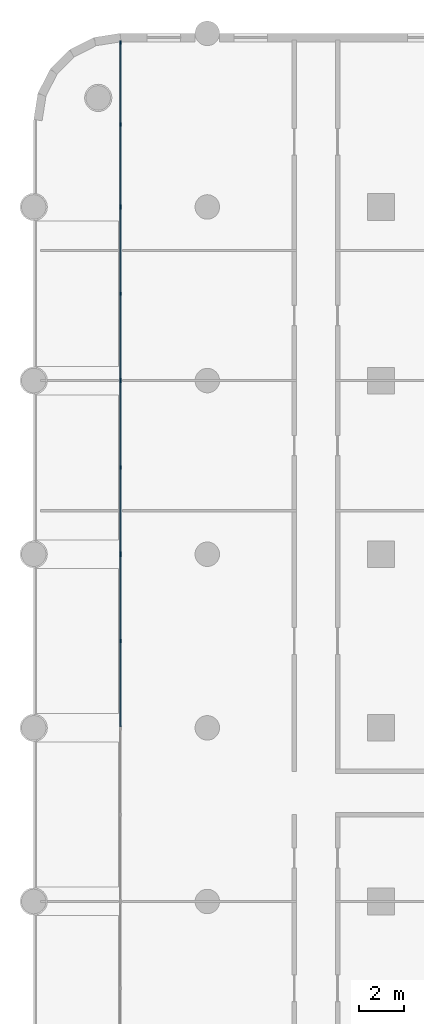
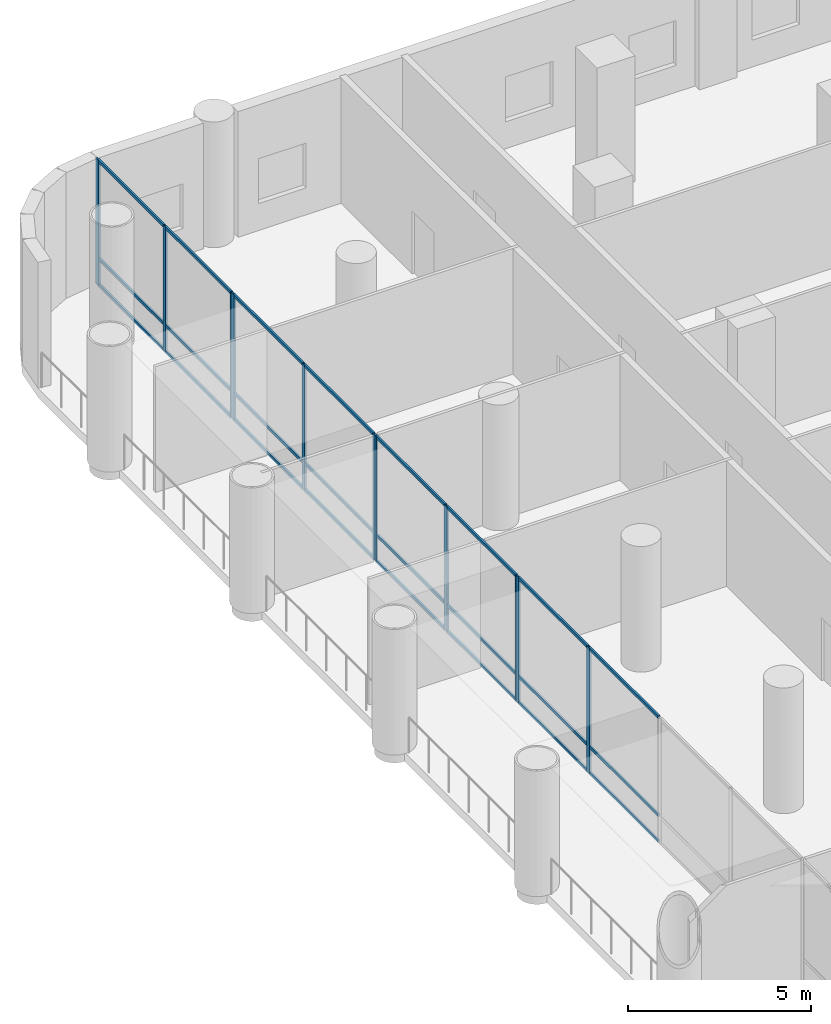
# One storey, part 5 of 24: 35 members, 4 elements without a shape of their own.
"""IFC4 building model written with IfcOpenShell, lengths in metres."""

from ifc_helpers import new_model, si_unit, direction, frame, origin, origin_2d, place, context, subcontext, project, spatial, rectangle, extrude, material, material_profile, profile_set, type_object, element, aggregate, save


model = new_model("IFC4")

# Units and contexts
model_context = context("Model", 3, precision=1e-05, world=origin(), true_north=direction((0.0, 1.0)))
body_context = subcontext(model_context, "Body", "Model", "MODEL_VIEW")
ifc_project = project(units=[si_unit("LENGTHUNIT", "METRE"), si_unit("AREAUNIT", "SQUARE_METRE"), si_unit("VOLUMEUNIT", "CUBIC_METRE"), si_unit("PLANEANGLEUNIT", "RADIAN"), si_unit("MASSUNIT", "GRAM", prefix="KILO")], contexts=[model_context])

# Site, building, storey
site_placement = place(None, origin())
site = spatial("IfcSite", under=ifc_project, at=site_placement, CompositionType="ELEMENT")
building_placement = place(site_placement, origin())
building = spatial("IfcBuilding", under=site, at=building_placement, Name="Ludao Terraces", CompositionType="ELEMENT")
storey_placement = place(building_placement, frame((0.0, 0.0, 6.0)))
storey = spatial("IfcBuildingStorey", under=building, at=storey_placement, Name="L01", CompositionType="ELEMENT", Elevation=6.0)

# Curtain wall, members
ifc_material_1 = material(Name="Aluminium curtain wall with fritted glass", Category="aluminium")
curtain_wall_type = type_object("IfcCurtainWallType", Name="ENV CW1 podium glazing", PredefinedType="NOTDEFINED", material=ifc_material_1)
curtain_wall_1_placement = place(storey_placement, origin())
curtain_wall_1 = element("IfcCurtainWall", 1, at=curtain_wall_1_placement, inside=storey, type_object=curtain_wall_type, Name="CW-L01-W5", PredefinedType="NOTDEFINED")
ifc_material_2 = material(Name="Aluminium 6063-T6", Category="aluminium")
ifc_material_profile_1 = material_profile(ifc_material_2, rectangle(XDim=0.06005859375, YDim=0.14990234375, at=origin_2d()), Name="60 X 150")
ifc_profile_set_1 = profile_set([ifc_material_profile_1], Name="Aluminium 6063-T6")
member_type_1 = type_object("IfcMemberType", Name="ENV CW1 mullion 60x150", PredefinedType="MULLION", material=ifc_profile_set_1)
member_1_placement = place(storey_placement, frame((49.89990234375, 61.10009765625, 0.0), z_axis=(0.0, 0.0, 1.0), x_axis=(-1.0, 0.0, 0.0)))
member_1 = element("IfcMember", 2, at=member_1_placement, type_object=member_type_1, Name="CW1 mullion 2", PredefinedType="MULLION", context=body_context, shape_type="SweptSolid", body=[
    extrude(rectangle(XDim=0.06005859375, YDim=0.14990234375, at=origin_2d()), origin(), (0.0, 0.0, 1.0), 4.199951171875),
])
member_2_placement = place(storey_placement, frame((49.89990234375, 64.969970703125, 0.0), z_axis=(0.0, 0.0, 1.0), x_axis=(-1.0, 0.0, 0.0)))
member_2 = element("IfcMember", 3, at=member_2_placement, type_object=member_type_1, Name="CW1 mullion 3", PredefinedType="MULLION", context=body_context, shape_type="SweptSolid", body=[
    extrude(rectangle(XDim=0.06005859375, YDim=0.14990234375, at=origin_2d()), origin(), (0.0, 0.0, 1.0), 4.199951171875),
])

curtain_wall_2_placement = place(storey_placement, origin())
curtain_wall_2 = element("IfcCurtainWall", 4, at=curtain_wall_2_placement, inside=storey, type_object=curtain_wall_type, Name="CW-L01-W6", PredefinedType="NOTDEFINED")
member_3_placement = place(storey_placement, frame((49.89990234375, 65.030029296875, 0.0), z_axis=(0.0, 0.0, 1.0), x_axis=(-1.0, 0.0, 0.0)))
member_3 = element("IfcMember", 5, at=member_3_placement, type_object=member_type_1, Name="CW1 mullion 1", PredefinedType="MULLION", context=body_context, shape_type="SweptSolid", body=[
    extrude(rectangle(XDim=0.06005859375, YDim=0.14990234375, at=origin_2d()), origin(), (0.0, 0.0, 1.0), 4.199951171875),
])
member_4_placement = place(storey_placement, frame((49.89990234375, 68.89990234375, 0.0), z_axis=(0.0, 0.0, 1.0), x_axis=(-1.0, 0.0, 0.0)))
member_4 = element("IfcMember", 6, at=member_4_placement, type_object=member_type_1, Name="CW1 mullion 2", PredefinedType="MULLION", context=body_context, shape_type="SweptSolid", body=[
    extrude(rectangle(XDim=0.06005859375, YDim=0.14990234375, at=origin_2d()), origin(), (0.0, 0.0, 1.0), 4.199951171875),
])
member_5_placement = place(storey_placement, frame((49.89990234375, 72.77001953125, 0.0), z_axis=(0.0, 0.0, 1.0), x_axis=(-1.0, 0.0, 0.0)))
member_5 = element("IfcMember", 7, at=member_5_placement, type_object=member_type_1, Name="CW1 mullion 3", PredefinedType="MULLION", context=body_context, shape_type="SweptSolid", body=[
    extrude(rectangle(XDim=0.06005859375, YDim=0.14990234375, at=origin_2d()), origin(), (0.0, 0.0, 1.0), 4.199951171875),
])

curtain_wall_3_placement = place(storey_placement, origin())
curtain_wall_3 = element("IfcCurtainWall", 8, at=curtain_wall_3_placement, inside=storey, type_object=curtain_wall_type, Name="CW-L01-W7", PredefinedType="NOTDEFINED")
member_6_placement = place(storey_placement, frame((49.89990234375, 72.830078125, 0.0), z_axis=(0.0, 0.0, 1.0), x_axis=(-1.0, 0.0, 0.0)))
member_6 = element("IfcMember", 9, at=member_6_placement, type_object=member_type_1, Name="CW1 mullion 1", PredefinedType="MULLION", context=body_context, shape_type="SweptSolid", body=[
    extrude(rectangle(XDim=0.06005859375, YDim=0.14990234375, at=origin_2d()), origin(), (0.0, 0.0, 1.0), 4.199951171875),
])
member_7_placement = place(storey_placement, frame((49.89990234375, 76.699951171875, 0.0), z_axis=(0.0, 0.0, 1.0), x_axis=(-1.0, 0.0, 0.0)))
member_7 = element("IfcMember", 10, at=member_7_placement, type_object=member_type_1, Name="CW1 mullion 2", PredefinedType="MULLION", context=body_context, shape_type="SweptSolid", body=[
    extrude(rectangle(XDim=0.06005859375, YDim=0.14990234375, at=origin_2d()), origin(), (0.0, 0.0, 1.0), 4.199951171875),
])
member_8_placement = place(storey_placement, frame((49.89990234375, 80.570068359375, 0.0), z_axis=(0.0, 0.0, 1.0), x_axis=(-1.0, 0.0, 0.0)))
member_8 = element("IfcMember", 11, at=member_8_placement, type_object=member_type_1, Name="CW1 mullion 3", PredefinedType="MULLION", context=body_context, shape_type="SweptSolid", body=[
    extrude(rectangle(XDim=0.06005859375, YDim=0.14990234375, at=origin_2d()), origin(), (0.0, 0.0, 1.0), 4.199951171875),
])

curtain_wall_4_placement = place(storey_placement, origin())
curtain_wall_4 = element("IfcCurtainWall", 12, at=curtain_wall_4_placement, inside=storey, type_object=curtain_wall_type, Name="CW-L01-W8", PredefinedType="NOTDEFINED")
member_9_placement = place(storey_placement, frame((49.89990234375, 80.6298828125, 0.0), z_axis=(0.0, 0.0, 1.0), x_axis=(-1.0, 0.0, 0.0)))
member_9 = element("IfcMember", 13, at=member_9_placement, type_object=member_type_1, Name="CW1 mullion 1", PredefinedType="MULLION", context=body_context, shape_type="SweptSolid", body=[
    extrude(rectangle(XDim=0.06005859375, YDim=0.14990234375, at=origin_2d()), origin(), (0.0, 0.0, 1.0), 4.199951171875),
])
member_10_placement = place(storey_placement, frame((49.89990234375, 84.31005859375, 0.0), z_axis=(0.0, 0.0, 1.0), x_axis=(-1.0, 0.0, 0.0)))
member_10 = element("IfcMember", 14, at=member_10_placement, type_object=member_type_1, Name="CW1 mullion 2", PredefinedType="MULLION", context=body_context, shape_type="SweptSolid", body=[
    extrude(rectangle(XDim=0.06005859375, YDim=0.14990234375, at=origin_2d()), origin(), (0.0, 0.0, 1.0), 4.199951171875),
])
member_11_placement = place(storey_placement, frame((49.89990234375, 87.989990234375, 0.0), z_axis=(0.0, 0.0, 1.0), x_axis=(-1.0, 0.0, 0.0)))
member_11 = element("IfcMember", 15, at=member_11_placement, type_object=member_type_1, Name="CW1 mullion 3", PredefinedType="MULLION", context=body_context, shape_type="SweptSolid", body=[
    extrude(rectangle(XDim=0.06005859375, YDim=0.14990234375, at=origin_2d()), origin(), (0.0, 0.0, 1.0), 4.199951171875),
])

# Member
ifc_material_profile_2 = material_profile(ifc_material_2, rectangle(XDim=0.06005859375, YDim=0.10009765625, at=origin_2d()), Name="60 X 100")
ifc_profile_set_2 = profile_set([ifc_material_profile_2], Name="Aluminium 6063-T6")
member_type_2 = type_object("IfcMemberType", Name="ENV CW1 transom 60x100", PredefinedType="USERDEFINED", material=ifc_profile_set_2)
member_12_placement = place(storey_placement, frame((49.89990234375, 57.260009765625, 0.030029296875), z_axis=(0.0, 1.0, 0.0), x_axis=(-1.0, 0.0, 0.0)))
member_12 = element("IfcMember", 16, at=member_12_placement, type_object=member_type_2, Name="CW1 transom 1.1", ObjectType="TRANSOM", PredefinedType="USERDEFINED", context=body_context, shape_type="SweptSolid", body=[
    extrude(rectangle(XDim=0.06005859375, YDim=0.10009765625, at=origin_2d()), origin(), (0.0, 0.0, 1.0), 3.81005859375),
])

member_13_placement = place(storey_placement, frame((49.89990234375, 57.260009765625, 0.89990234375), z_axis=(0.0, 1.0, 0.0), x_axis=(-1.0, 0.0, 0.0)))
member_13 = element("IfcMember", 17, at=member_13_placement, type_object=member_type_2, Name="CW1 transom 1.2", ObjectType="TRANSOM", PredefinedType="USERDEFINED", context=body_context, shape_type="SweptSolid", body=[
    extrude(rectangle(XDim=0.06005859375, YDim=0.10009765625, at=origin_2d()), origin(), (0.0, 0.0, 1.0), 3.81005859375),
])

member_14_placement = place(storey_placement, frame((49.89990234375, 57.260009765625, 4.169921875), z_axis=(0.0, 1.0, 0.0), x_axis=(-1.0, 0.0, 0.0)))
member_14 = element("IfcMember", 18, at=member_14_placement, type_object=member_type_2, Name="CW1 transom 1.3", ObjectType="TRANSOM", PredefinedType="USERDEFINED", context=body_context, shape_type="SweptSolid", body=[
    extrude(rectangle(XDim=0.06005859375, YDim=0.10009765625, at=origin_2d()), origin(), (0.0, 0.0, 1.0), 3.81005859375),
])

member_15_placement = place(storey_placement, frame((49.89990234375, 61.1298828125, 0.030029296875), z_axis=(0.0, 1.0, 0.0), x_axis=(-1.0, 0.0, 0.0)))
member_15 = element("IfcMember", 19, at=member_15_placement, type_object=member_type_2, Name="CW1 transom 2.1", ObjectType="TRANSOM", PredefinedType="USERDEFINED", context=body_context, shape_type="SweptSolid", body=[
    extrude(rectangle(XDim=0.06005859375, YDim=0.10009765625, at=origin_2d()), origin(), (0.0, 0.0, 1.0), 3.81005859375),
])

member_16_placement = place(storey_placement, frame((49.89990234375, 61.1298828125, 0.89990234375), z_axis=(0.0, 1.0, 0.0), x_axis=(-1.0, 0.0, 0.0)))
member_16 = element("IfcMember", 20, at=member_16_placement, type_object=member_type_2, Name="CW1 transom 2.2", ObjectType="TRANSOM", PredefinedType="USERDEFINED", context=body_context, shape_type="SweptSolid", body=[
    extrude(rectangle(XDim=0.06005859375, YDim=0.10009765625, at=origin_2d()), origin(), (0.0, 0.0, 1.0), 3.81005859375),
])

member_17_placement = place(storey_placement, frame((49.89990234375, 61.1298828125, 4.169921875), z_axis=(0.0, 1.0, 0.0), x_axis=(-1.0, 0.0, 0.0)))
member_17 = element("IfcMember", 21, at=member_17_placement, type_object=member_type_2, Name="CW1 transom 2.3", ObjectType="TRANSOM", PredefinedType="USERDEFINED", context=body_context, shape_type="SweptSolid", body=[
    extrude(rectangle(XDim=0.06005859375, YDim=0.10009765625, at=origin_2d()), origin(), (0.0, 0.0, 1.0), 3.81005859375),
])

aggregate(curtain_wall_1, [member_1, member_2, member_12, member_13, member_14, member_15, member_16, member_17])

member_18_placement = place(storey_placement, frame((49.89990234375, 65.06005859375, 0.030029296875), z_axis=(0.0, 1.0, 0.0), x_axis=(-1.0, 0.0, 0.0)))
member_18 = element("IfcMember", 22, at=member_18_placement, type_object=member_type_2, Name="CW1 transom 1.1", ObjectType="TRANSOM", PredefinedType="USERDEFINED", context=body_context, shape_type="SweptSolid", body=[
    extrude(rectangle(XDim=0.06005859375, YDim=0.10009765625, at=origin_2d()), origin(), (0.0, 0.0, 1.0), 3.81005859375),
])

member_19_placement = place(storey_placement, frame((49.89990234375, 65.06005859375, 0.89990234375), z_axis=(0.0, 1.0, 0.0), x_axis=(-1.0, 0.0, 0.0)))
member_19 = element("IfcMember", 23, at=member_19_placement, type_object=member_type_2, Name="CW1 transom 1.2", ObjectType="TRANSOM", PredefinedType="USERDEFINED", context=body_context, shape_type="SweptSolid", body=[
    extrude(rectangle(XDim=0.06005859375, YDim=0.10009765625, at=origin_2d()), origin(), (0.0, 0.0, 1.0), 3.81005859375),
])

member_20_placement = place(storey_placement, frame((49.89990234375, 65.06005859375, 4.169921875), z_axis=(0.0, 1.0, 0.0), x_axis=(-1.0, 0.0, 0.0)))
member_20 = element("IfcMember", 24, at=member_20_placement, type_object=member_type_2, Name="CW1 transom 1.3", ObjectType="TRANSOM", PredefinedType="USERDEFINED", context=body_context, shape_type="SweptSolid", body=[
    extrude(rectangle(XDim=0.06005859375, YDim=0.10009765625, at=origin_2d()), origin(), (0.0, 0.0, 1.0), 3.81005859375),
])

member_21_placement = place(storey_placement, frame((49.89990234375, 68.929931640625, 0.030029296875), z_axis=(0.0, 1.0, 0.0), x_axis=(-1.0, 0.0, 0.0)))
member_21 = element("IfcMember", 25, at=member_21_placement, type_object=member_type_2, Name="CW1 transom 2.1", ObjectType="TRANSOM", PredefinedType="USERDEFINED", context=body_context, shape_type="SweptSolid", body=[
    extrude(rectangle(XDim=0.06005859375, YDim=0.10009765625, at=origin_2d()), origin(), (0.0, 0.0, 1.0), 3.81005859375),
])

member_22_placement = place(storey_placement, frame((49.89990234375, 68.929931640625, 0.89990234375), z_axis=(0.0, 1.0, 0.0), x_axis=(-1.0, 0.0, 0.0)))
member_22 = element("IfcMember", 26, at=member_22_placement, type_object=member_type_2, Name="CW1 transom 2.2", ObjectType="TRANSOM", PredefinedType="USERDEFINED", context=body_context, shape_type="SweptSolid", body=[
    extrude(rectangle(XDim=0.06005859375, YDim=0.10009765625, at=origin_2d()), origin(), (0.0, 0.0, 1.0), 3.81005859375),
])

member_23_placement = place(storey_placement, frame((49.89990234375, 68.929931640625, 4.169921875), z_axis=(0.0, 1.0, 0.0), x_axis=(-1.0, 0.0, 0.0)))
member_23 = element("IfcMember", 27, at=member_23_placement, type_object=member_type_2, Name="CW1 transom 2.3", ObjectType="TRANSOM", PredefinedType="USERDEFINED", context=body_context, shape_type="SweptSolid", body=[
    extrude(rectangle(XDim=0.06005859375, YDim=0.10009765625, at=origin_2d()), origin(), (0.0, 0.0, 1.0), 3.81005859375),
])

aggregate(curtain_wall_2, [member_3, member_4, member_5, member_18, member_19, member_20, member_21, member_22, member_23])

member_24_placement = place(storey_placement, frame((49.89990234375, 72.860107421875, 0.030029296875), z_axis=(0.0, 1.0, 0.0), x_axis=(-1.0, 0.0, 0.0)))
member_24 = element("IfcMember", 28, at=member_24_placement, type_object=member_type_2, Name="CW1 transom 1.1", ObjectType="TRANSOM", PredefinedType="USERDEFINED", context=body_context, shape_type="SweptSolid", body=[
    extrude(rectangle(XDim=0.06005859375, YDim=0.10009765625, at=origin_2d()), origin(), (0.0, 0.0, 1.0), 3.809814453125),
])

member_25_placement = place(storey_placement, frame((49.89990234375, 72.860107421875, 0.89990234375), z_axis=(0.0, 1.0, 0.0), x_axis=(-1.0, 0.0, 0.0)))
member_25 = element("IfcMember", 29, at=member_25_placement, type_object=member_type_2, Name="CW1 transom 1.2", ObjectType="TRANSOM", PredefinedType="USERDEFINED", context=body_context, shape_type="SweptSolid", body=[
    extrude(rectangle(XDim=0.06005859375, YDim=0.10009765625, at=origin_2d()), origin(), (0.0, 0.0, 1.0), 3.809814453125),
])

member_26_placement = place(storey_placement, frame((49.89990234375, 72.860107421875, 4.169921875), z_axis=(0.0, 1.0, 0.0), x_axis=(-1.0, 0.0, 0.0)))
member_26 = element("IfcMember", 30, at=member_26_placement, type_object=member_type_2, Name="CW1 transom 1.3", ObjectType="TRANSOM", PredefinedType="USERDEFINED", context=body_context, shape_type="SweptSolid", body=[
    extrude(rectangle(XDim=0.06005859375, YDim=0.10009765625, at=origin_2d()), origin(), (0.0, 0.0, 1.0), 3.809814453125),
])

member_27_placement = place(storey_placement, frame((49.89990234375, 76.72998046875, 0.030029296875), z_axis=(0.0, 1.0, 0.0), x_axis=(-1.0, 0.0, 0.0)))
member_27 = element("IfcMember", 31, at=member_27_placement, type_object=member_type_2, Name="CW1 transom 2.1", ObjectType="TRANSOM", PredefinedType="USERDEFINED", context=body_context, shape_type="SweptSolid", body=[
    extrude(rectangle(XDim=0.06005859375, YDim=0.10009765625, at=origin_2d()), origin(), (0.0, 0.0, 1.0), 3.81005859375),
])

member_28_placement = place(storey_placement, frame((49.89990234375, 76.72998046875, 0.89990234375), z_axis=(0.0, 1.0, 0.0), x_axis=(-1.0, 0.0, 0.0)))
member_28 = element("IfcMember", 32, at=member_28_placement, type_object=member_type_2, Name="CW1 transom 2.2", ObjectType="TRANSOM", PredefinedType="USERDEFINED", context=body_context, shape_type="SweptSolid", body=[
    extrude(rectangle(XDim=0.06005859375, YDim=0.10009765625, at=origin_2d()), origin(), (0.0, 0.0, 1.0), 3.81005859375),
])

member_29_placement = place(storey_placement, frame((49.89990234375, 76.72998046875, 4.169921875), z_axis=(0.0, 1.0, 0.0), x_axis=(-1.0, 0.0, 0.0)))
member_29 = element("IfcMember", 33, at=member_29_placement, type_object=member_type_2, Name="CW1 transom 2.3", ObjectType="TRANSOM", PredefinedType="USERDEFINED", context=body_context, shape_type="SweptSolid", body=[
    extrude(rectangle(XDim=0.06005859375, YDim=0.10009765625, at=origin_2d()), origin(), (0.0, 0.0, 1.0), 3.81005859375),
])

aggregate(curtain_wall_3, [member_6, member_7, member_8, member_24, member_25, member_26, member_27, member_28, member_29])

member_30_placement = place(storey_placement, frame((49.89990234375, 80.659912109375, 0.030029296875), z_axis=(0.0, 1.0, 0.0), x_axis=(-1.0, 0.0, 0.0)))
member_30 = element("IfcMember", 34, at=member_30_placement, type_object=member_type_2, Name="CW1 transom 1.1", ObjectType="TRANSOM", PredefinedType="USERDEFINED", context=body_context, shape_type="SweptSolid", body=[
    extrude(rectangle(XDim=0.06005859375, YDim=0.10009765625, at=origin_2d()), origin(), (0.0, 0.0, 1.0), 3.6201171875),
])

member_31_placement = place(storey_placement, frame((49.89990234375, 80.659912109375, 0.89990234375), z_axis=(0.0, 1.0, 0.0), x_axis=(-1.0, 0.0, 0.0)))
member_31 = element("IfcMember", 35, at=member_31_placement, type_object=member_type_2, Name="CW1 transom 1.2", ObjectType="TRANSOM", PredefinedType="USERDEFINED", context=body_context, shape_type="SweptSolid", body=[
    extrude(rectangle(XDim=0.06005859375, YDim=0.10009765625, at=origin_2d()), origin(), (0.0, 0.0, 1.0), 3.6201171875),
])

member_32_placement = place(storey_placement, frame((49.89990234375, 80.659912109375, 4.169921875), z_axis=(0.0, 1.0, 0.0), x_axis=(-1.0, 0.0, 0.0)))
member_32 = element("IfcMember", 36, at=member_32_placement, type_object=member_type_2, Name="CW1 transom 1.3", ObjectType="TRANSOM", PredefinedType="USERDEFINED", context=body_context, shape_type="SweptSolid", body=[
    extrude(rectangle(XDim=0.06005859375, YDim=0.10009765625, at=origin_2d()), origin(), (0.0, 0.0, 1.0), 3.6201171875),
])

member_33_placement = place(storey_placement, frame((49.89990234375, 84.340087890625, 0.030029296875), z_axis=(0.0, 1.0, 0.0), x_axis=(-1.0, 0.0, 0.0)))
member_33 = element("IfcMember", 37, at=member_33_placement, type_object=member_type_2, Name="CW1 transom 2.1", ObjectType="TRANSOM", PredefinedType="USERDEFINED", context=body_context, shape_type="SweptSolid", body=[
    extrude(rectangle(XDim=0.06005859375, YDim=0.10009765625, at=origin_2d()), origin(), (0.0, 0.0, 1.0), 3.619873046875),
])

member_34_placement = place(storey_placement, frame((49.89990234375, 84.340087890625, 0.89990234375), z_axis=(0.0, 1.0, 0.0), x_axis=(-1.0, 0.0, 0.0)))
member_34 = element("IfcMember", 38, at=member_34_placement, type_object=member_type_2, Name="CW1 transom 2.2", ObjectType="TRANSOM", PredefinedType="USERDEFINED", context=body_context, shape_type="SweptSolid", body=[
    extrude(rectangle(XDim=0.06005859375, YDim=0.10009765625, at=origin_2d()), origin(), (0.0, 0.0, 1.0), 3.619873046875),
])

member_35_placement = place(storey_placement, frame((49.89990234375, 84.340087890625, 4.169921875), z_axis=(0.0, 1.0, 0.0), x_axis=(-1.0, 0.0, 0.0)))
member_35 = element("IfcMember", 39, at=member_35_placement, type_object=member_type_2, Name="CW1 transom 2.3", ObjectType="TRANSOM", PredefinedType="USERDEFINED", context=body_context, shape_type="SweptSolid", body=[
    extrude(rectangle(XDim=0.06005859375, YDim=0.10009765625, at=origin_2d()), origin(), (0.0, 0.0, 1.0), 3.619873046875),
])

aggregate(curtain_wall_4, [member_9, member_10, member_11, member_30, member_31, member_32, member_33, member_34, member_35])

save(model, "model.ifc")
